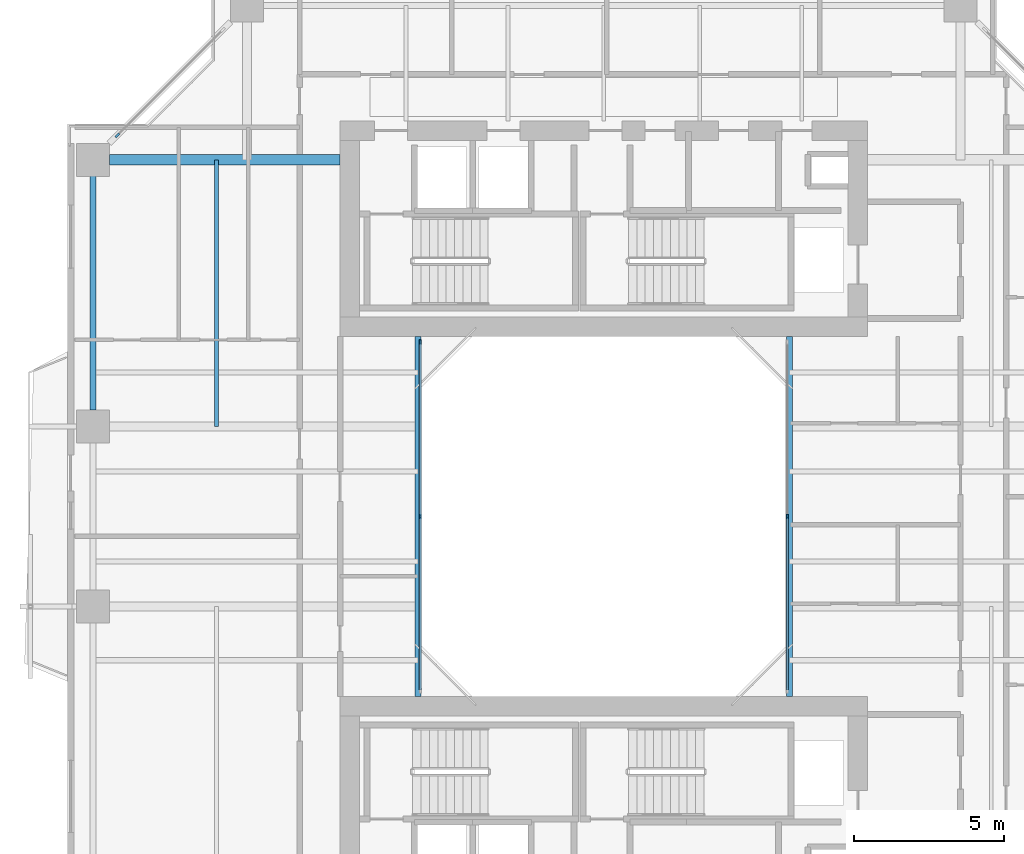
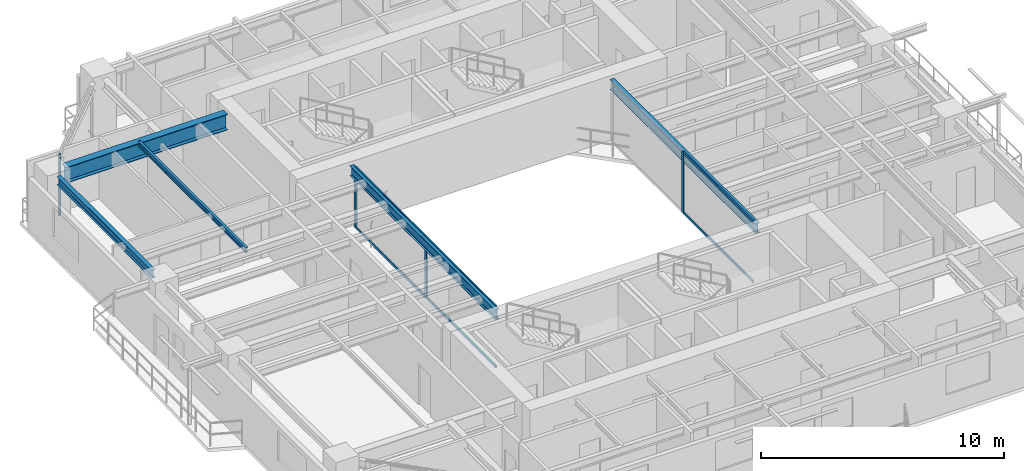
# One storey, part 5 of 17: 10 members, 5 beams, 3 elements without a shape of their own.
"""IFC4 building model written with IfcOpenShell, lengths in metres."""

from ifc_helpers import new_model, si_unit, direction, frame, origin, origin_2d, place, context, subcontext, project, spatial, rectangle, i_section, extrude, source, transform, mapped, material, layer, layer_set, material_profile, profile_set, type_object, element, aggregate, save


model = new_model("IFC4")

# Units and contexts
model_context = context("Model", 3, precision=1e-05, world=origin(), true_north=direction((0.0, 1.0)))
body_context = subcontext(model_context, "Body", "Model", "MODEL_VIEW")
ifc_project = project(units=[si_unit("LENGTHUNIT", "METRE"), si_unit("AREAUNIT", "SQUARE_METRE"), si_unit("VOLUMEUNIT", "CUBIC_METRE"), si_unit("PLANEANGLEUNIT", "RADIAN"), si_unit("MASSUNIT", "GRAM", prefix="KILO"), si_unit("THERMODYNAMICTEMPERATUREUNIT", "KELVIN"), si_unit("POWERUNIT", "WATT")], contexts=[model_context])

# Site, building, storey
site_placement = place(None, origin())
site = spatial("IfcSite", under=ifc_project, at=site_placement, CompositionType="ELEMENT")
building_placement = place(site_placement, origin())
building = spatial("IfcBuilding", under=site, at=building_placement, Name="Qiaomeng Ring Towers", CompositionType="ELEMENT")
storey_placement = place(building_placement, frame((0.0, 0.0, 116.5)))
storey = spatial("IfcBuildingStorey", under=building, at=storey_placement, Name="L33", CompositionType="ELEMENT", Elevation=116.5)

# Beams
ifc_material_1 = material(Name="Steel Q355B", Category="steel")
ifc_material_profile_1 = material_profile(ifc_material_1, i_section(OverallWidth=0.199951171875, OverallDepth=0.5, WebThickness=0.010009765625, FlangeThickness=0.01611328125, FilletRadius=0.02001953125, at=origin_2d()), Name="HN 500x200x10x16")
ifc_profile_set_1 = profile_set([ifc_material_profile_1], Name="Steel Q355B")
beam_type_1 = type_object("IfcBeamType", Name="STR-BM-HN500", PredefinedType="BEAM", material=ifc_profile_set_1)
shared_shape_1 = source(origin(), body_context, "Body", "SweptSolid", [
    extrude(i_section(OverallWidth=0.199951171875, OverallDepth=0.5, WebThickness=0.010009765625, FlangeThickness=0.01611328125, FilletRadius=0.02001953125, at=origin_2d()), origin(), (0.0, 0.0, 1.0), 12.0),
])
for number, where, z_axis, x_axis, name in (
    (1, (12.800048828125, 17.0, 2.820068359375), (0.0, 1.0, 0.0), (-1.0, 0.0, 0.0), "L33 beam STR-BM-L33-WELL-W"),
    (2, (25.199951171875, 17.0, 2.820068359375), (0.0, 1.0, 0.0), (-1.0, 0.0, 0.0), "L33 beam STR-BM-L33-WELL-E"),
):
    element("IfcBeam", number, at=place(storey_placement, frame(where, z_axis=z_axis, x_axis=x_axis)), inside=storey, type_object=beam_type_1, Name=name, PredefinedType="BEAM", context=body_context, shape_type="MappedRepresentation", body=[
        mapped(shared_shape_1, transform((0.0, 0.0, 0.0), x_axis=(1.0, 0.0, 0.0), y_axis=(0.0, 1.0, 0.0), z_axis=(0.0, 0.0, 1.0), scale=1.0)),
    ])
ifc_material_profile_2 = material_profile(ifc_material_1, i_section(OverallWidth=0.199951171875, OverallDepth=0.39990234375, WebThickness=0.008056640625, FlangeThickness=0.012939453125, FilletRadius=0.01611328125, at=origin_2d()), Name="HN 400x200x8x13")
ifc_profile_set_2 = profile_set([ifc_material_profile_2], Name="Steel Q355B")
beam_type_2 = type_object("IfcBeamType", Name="STR-BM-HN400", PredefinedType="SPANDREL", material=ifc_profile_set_2)
shared_shape_2 = source(origin(), body_context, "Body", "SweptSolid", [
    extrude(i_section(OverallWidth=0.199951171875, OverallDepth=0.39990234375, WebThickness=0.008056640625, FlangeThickness=0.012939453125, FilletRadius=0.01611328125, at=origin_2d()), origin(), (0.0, 0.0, 1.0), 7.802001953125),
])
beam_1_placement = place(storey_placement, frame((1.949951171875, 34.35107421875, 2.8701171875), z_axis=(0.0, -1.0, 0.0), x_axis=(1.0, 0.0, 0.0)))
element("IfcBeam", 3, at=beam_1_placement, inside=storey, type_object=beam_type_2, Name="L33 beam STR-SP-L33-T1-W4-W3", PredefinedType="SPANDREL", context=body_context, shape_type="MappedRepresentation", body=[
    mapped(shared_shape_2, transform((0.0, 0.0, 0.0), x_axis=(1.0, 0.0, 0.0), y_axis=(0.0, 1.0, 0.0), z_axis=(0.0, 0.0, 1.0), scale=1.0)),
])
ifc_material_2 = material(Name="Steel Q390GJC", Category="steel")
ifc_material_profile_3 = material_profile(ifc_material_2, i_section(OverallWidth=0.35009765625, OverallDepth=0.800048828125, WebThickness=0.01611328125, FlangeThickness=0.028076171875, at=origin_2d()), Name="WH 800x350x16x28")
ifc_profile_set_3 = profile_set([ifc_material_profile_3], Name="Steel Q390GJC")
beam_type_3 = type_object("IfcBeamType", Name="STR-BM-WH800", PredefinedType="BEAM", material=ifc_profile_set_3)
shared_shape_3 = source(origin(), body_context, "Body", "SweptSolid", [
    extrude(i_section(OverallWidth=0.35009765625, OverallDepth=0.800048828125, WebThickness=0.01611328125, FlangeThickness=0.028076171875, at=origin_2d()), origin(), (0.0, 0.0, 1.0), 7.700927734375),
])
beam_2_placement = place(storey_placement, frame((2.4990234375, 34.89990234375, 2.669921875), z_axis=(1.0, 0.0, 0.0), x_axis=(0.0, 1.0, 0.0)))
element("IfcBeam", 4, at=beam_2_placement, inside=storey, type_object=beam_type_3, Name="L33 beam STR-BM-L33-T1-RAD-W4", PredefinedType="BEAM", context=body_context, shape_type="MappedRepresentation", body=[
    mapped(shared_shape_3, transform((0.0, 0.0, 0.0), x_axis=(1.0, 0.0, 0.0), y_axis=(0.0, 1.0, 0.0), z_axis=(0.0, 0.0, 1.0), scale=1.0)),
])
ifc_material_profile_4 = material_profile(ifc_material_1, i_section(OverallWidth=0.125, OverallDepth=0.25, WebThickness=0.006103515625, FlangeThickness=0.009033203125, FilletRadius=0.011962890625, at=origin_2d()), Name="HN 250x125x6x9")
ifc_profile_set_4 = profile_set([ifc_material_profile_4], Name="Steel Q355B")
beam_type_4 = type_object("IfcBeamType", Name="STR-BM-HN250", PredefinedType="JOIST", material=ifc_profile_set_4)
shared_shape_4 = source(origin(), body_context, "Body", "SweptSolid", [
    extrude(i_section(OverallWidth=0.125, OverallDepth=0.25, WebThickness=0.006103515625, FlangeThickness=0.009033203125, FilletRadius=0.011962890625, at=origin_2d()), origin(), (0.0, 0.0, 1.0), 8.89990234375),
])
beam_3_placement = place(storey_placement, frame((6.074951171875, 26.0, 2.945068359375), z_axis=(0.0, 1.0, 0.0), x_axis=(-1.0, 0.0, 0.0)))
element("IfcBeam", 5, at=beam_3_placement, inside=storey, type_object=beam_type_4, Name="L33 beam STR-JST-L33-T1C-WN", PredefinedType="JOIST", context=body_context, shape_type="MappedRepresentation", body=[
    mapped(shared_shape_4, transform((0.0, 0.0, 0.0), x_axis=(1.0, 0.0, 0.0), y_axis=(0.0, 1.0, 0.0), z_axis=(0.0, 0.0, 1.0), scale=1.0)),
])

# Curtain wall, members
ifc_material_3 = material(Name="Fluorocarbon dark-grey aluminium", Category="aluminium")
ifc_layer_1 = layer(ifc_material_3, 0.139892578125, Name="Fluorocarbon dark-grey aluminium")
ifc_layer_set_1 = layer_set([ifc_layer_1], Name="Fluorocarbon dark-grey aluminium")
curtain_wall_type_1 = type_object("IfcCurtainWallType", Name="ARC-CW-4", PredefinedType="NOTDEFINED", material=ifc_layer_set_1)
curtain_wall_1_placement = place(storey_placement, origin())
curtain_wall_1 = element("IfcCurtainWall", 6, at=curtain_wall_1_placement, inside=storey, type_object=curtain_wall_type_1, Name="L33 Curtain Wall CW4", PredefinedType="NOTDEFINED")
ifc_material_profile_5 = material_profile(ifc_material_3, rectangle(XDim=0.06494140625, YDim=0.159912109375, at=origin_2d()), Name="ALU MULL 65x160")
ifc_profile_set_5 = profile_set([ifc_material_profile_5], Name="Fluorocarbon dark-grey aluminium")
member_type_1 = type_object("IfcMemberType", Name="ARC-CWM-140", PredefinedType="MULLION", material=ifc_profile_set_5)
shared_shape_5 = source(origin(), body_context, "Body", "SweptSolid", [
    extrude(rectangle(XDim=0.06494140625, YDim=0.159912109375, at=origin_2d()), origin(), (0.0, 0.0, 1.0), 3.070068359375),
])
member_1_placement = place(storey_placement, frame((12.8798828125, 23.0, 0.0), z_axis=(0.0, 0.0, 1.0), x_axis=(-1.0, 0.0, 0.0)))
member_1 = element("IfcMember", 7, at=member_1_placement, type_object=member_type_1, Name="CW4 mullion 2", PredefinedType="MULLION", context=body_context, shape_type="MappedRepresentation", body=[
    mapped(shared_shape_5, transform((0.0, 0.0, 0.0), x_axis=(1.0, 0.0, 0.0), y_axis=(0.0, 1.0, 0.0), z_axis=(0.0, 0.0, 1.0), scale=1.0)),
])
member_2_placement = place(storey_placement, frame((12.8798828125, 28.8173828125, 0.0), z_axis=(0.0, 0.0, 1.0), x_axis=(-1.0, 0.0, 0.0)))
member_2 = element("IfcMember", 8, at=member_2_placement, type_object=member_type_1, Name="CW4 mullion 3", PredefinedType="MULLION", context=body_context, shape_type="MappedRepresentation", body=[
    mapped(shared_shape_5, transform((0.0, 0.0, 0.0), x_axis=(1.0, 0.0, 0.0), y_axis=(0.0, 1.0, 0.0), z_axis=(0.0, 0.0, 1.0), scale=1.0)),
])

# Curtain wall, member
curtain_wall_2_placement = place(storey_placement, origin())
curtain_wall_2 = element("IfcCurtainWall", 9, at=curtain_wall_2_placement, inside=storey, type_object=curtain_wall_type_1, Name="L33 Curtain Wall CW4", PredefinedType="NOTDEFINED")
member_3_placement = place(storey_placement, frame((25.1201171875, 23.0, 0.0), z_axis=(0.0, 0.0, 1.0), x_axis=(-1.0, 0.0, 0.0)))
member_3 = element("IfcMember", 10, at=member_3_placement, type_object=member_type_1, Name="CW4 mullion 2", PredefinedType="MULLION", context=body_context, shape_type="MappedRepresentation", body=[
    mapped(shared_shape_5, transform((0.0, 0.0, 0.0), x_axis=(1.0, 0.0, 0.0), y_axis=(0.0, 1.0, 0.0), z_axis=(0.0, 0.0, 1.0), scale=1.0)),
])

# Member
ifc_material_profile_6 = material_profile(ifc_material_3, rectangle(XDim=0.06494140625, YDim=0.1298828125, at=origin_2d()), Name="ALU TRAN 65x130")
ifc_profile_set_6 = profile_set([ifc_material_profile_6], Name="Fluorocarbon dark-grey aluminium")
member_type_2 = type_object("IfcMemberType", Name="ARC-CWT-120", PredefinedType="USERDEFINED", material=ifc_profile_set_6)
shared_shape_6 = source(origin(), body_context, "Body", "SweptSolid", [
    extrude(rectangle(XDim=0.06494140625, YDim=0.1298828125, at=origin_2d()), origin(), (0.0, 0.0, 1.0), 5.75244140625),
])
member_4_placement = place(storey_placement, frame((12.8798828125, 17.215087890625, 0.032470703125), z_axis=(0.0, 1.0, 0.0), x_axis=(-1.0, 0.0, 0.0)))
member_4 = element("IfcMember", 11, at=member_4_placement, type_object=member_type_2, Name="CW4 transom 1.1", ObjectType="TRANSOM", PredefinedType="USERDEFINED", context=body_context, shape_type="MappedRepresentation", body=[
    mapped(shared_shape_6, transform((0.0, 0.0, 0.0), x_axis=(1.0, 0.0, 0.0), y_axis=(0.0, 1.0, 0.0), z_axis=(0.0, 0.0, 1.0), scale=1.0)),
])

member_5_placement = place(storey_placement, frame((12.8798828125, 17.215087890625, 3.03759765625), z_axis=(0.0, 1.0, 0.0), x_axis=(-1.0, 0.0, 0.0)))
member_5 = element("IfcMember", 12, at=member_5_placement, type_object=member_type_2, Name="CW4 transom 1.2", ObjectType="TRANSOM", PredefinedType="USERDEFINED", context=body_context, shape_type="MappedRepresentation", body=[
    mapped(shared_shape_6, transform((0.0, 0.0, 0.0), x_axis=(1.0, 0.0, 0.0), y_axis=(0.0, 1.0, 0.0), z_axis=(0.0, 0.0, 1.0), scale=1.0)),
])

member_6_placement = place(storey_placement, frame((12.8798828125, 23.032470703125, 0.032470703125), z_axis=(0.0, 1.0, 0.0), x_axis=(-1.0, 0.0, 0.0)))
member_6 = element("IfcMember", 13, at=member_6_placement, type_object=member_type_2, Name="CW4 transom 2.1", ObjectType="TRANSOM", PredefinedType="USERDEFINED", context=body_context, shape_type="MappedRepresentation", body=[
    mapped(shared_shape_6, transform((0.0, 0.0, 0.0), x_axis=(1.0, 0.0, 0.0), y_axis=(0.0, 1.0, 0.0), z_axis=(0.0, 0.0, 1.0), scale=1.0)),
])

member_7_placement = place(storey_placement, frame((12.8798828125, 23.032470703125, 3.03759765625), z_axis=(0.0, 1.0, 0.0), x_axis=(-1.0, 0.0, 0.0)))
member_7 = element("IfcMember", 14, at=member_7_placement, type_object=member_type_2, Name="CW4 transom 2.2", ObjectType="TRANSOM", PredefinedType="USERDEFINED", context=body_context, shape_type="MappedRepresentation", body=[
    mapped(shared_shape_6, transform((0.0, 0.0, 0.0), x_axis=(1.0, 0.0, 0.0), y_axis=(0.0, 1.0, 0.0), z_axis=(0.0, 0.0, 1.0), scale=1.0)),
])

aggregate(curtain_wall_1, [member_1, member_2, member_4, member_5, member_6, member_7])

member_8_placement = place(storey_placement, frame((25.1201171875, 17.215087890625, 0.032470703125), z_axis=(0.0, 1.0, 0.0), x_axis=(-1.0, 0.0, 0.0)))
member_8 = element("IfcMember", 15, at=member_8_placement, type_object=member_type_2, Name="CW4 transom 1.1", ObjectType="TRANSOM", PredefinedType="USERDEFINED", context=body_context, shape_type="MappedRepresentation", body=[
    mapped(shared_shape_6, transform((0.0, 0.0, 0.0), x_axis=(1.0, 0.0, 0.0), y_axis=(0.0, 1.0, 0.0), z_axis=(0.0, 0.0, 1.0), scale=1.0)),
])

member_9_placement = place(storey_placement, frame((25.1201171875, 17.215087890625, 3.03759765625), z_axis=(0.0, 1.0, 0.0), x_axis=(-1.0, 0.0, 0.0)))
member_9 = element("IfcMember", 16, at=member_9_placement, type_object=member_type_2, Name="CW4 transom 1.2", ObjectType="TRANSOM", PredefinedType="USERDEFINED", context=body_context, shape_type="MappedRepresentation", body=[
    mapped(shared_shape_6, transform((0.0, 0.0, 0.0), x_axis=(1.0, 0.0, 0.0), y_axis=(0.0, 1.0, 0.0), z_axis=(0.0, 0.0, 1.0), scale=1.0)),
])

aggregate(curtain_wall_2, [member_3, member_8, member_9])

# Curtain wall, member
ifc_layer_2 = layer(ifc_material_3, 0.14990234375, Name="Fluorocarbon dark-grey aluminium")
ifc_layer_set_2 = layer_set([ifc_layer_2], Name="Fluorocarbon dark-grey aluminium")
curtain_wall_type_2 = type_object("IfcCurtainWallType", Name="ARC-CW-3", PredefinedType="NOTDEFINED", material=ifc_layer_set_2)
curtain_wall_3_placement = place(storey_placement, origin())
curtain_wall_3 = element("IfcCurtainWall", 17, at=curtain_wall_3_placement, inside=storey, type_object=curtain_wall_type_2, Name="L33 Curtain Wall CW3", PredefinedType="NOTDEFINED")
ifc_material_profile_7 = material_profile(ifc_material_3, rectangle(XDim=0.070068359375, YDim=0.179931640625, at=origin_2d()), Name="ALU MULL 70x180")
ifc_profile_set_7 = profile_set([ifc_material_profile_7], Name="Fluorocarbon dark-grey aluminium")
member_type_3 = type_object("IfcMemberType", Name="ARC-CWM-160", PredefinedType="MULLION", material=ifc_profile_set_7)
shared_shape_7 = source(origin(), body_context, "Body", "SweptSolid", [
    extrude(rectangle(XDim=0.070068359375, YDim=0.179931640625, at=origin_2d()), origin(), (0.0, 0.0, 1.0), 3.070068359375),
])
member_10_placement = place(storey_placement, frame((2.7646484375, 35.71484375, 0.0), z_axis=(0.0, 0.0, 1.0), x_axis=(0.707106781187, -0.707106781187, 0.0)))
member_10 = element("IfcMember", 18, at=member_10_placement, type_object=member_type_3, Name="CW3 mullion 2", PredefinedType="MULLION", context=body_context, shape_type="MappedRepresentation", body=[
    mapped(shared_shape_7, transform((0.0, 0.0, 0.0), x_axis=(1.0, 0.0, 0.0), y_axis=(0.0, 1.0, 0.0), z_axis=(0.0, 0.0, 1.0), scale=1.0)),
])
aggregate(curtain_wall_3, [member_10])

save(model, "model.ifc")
